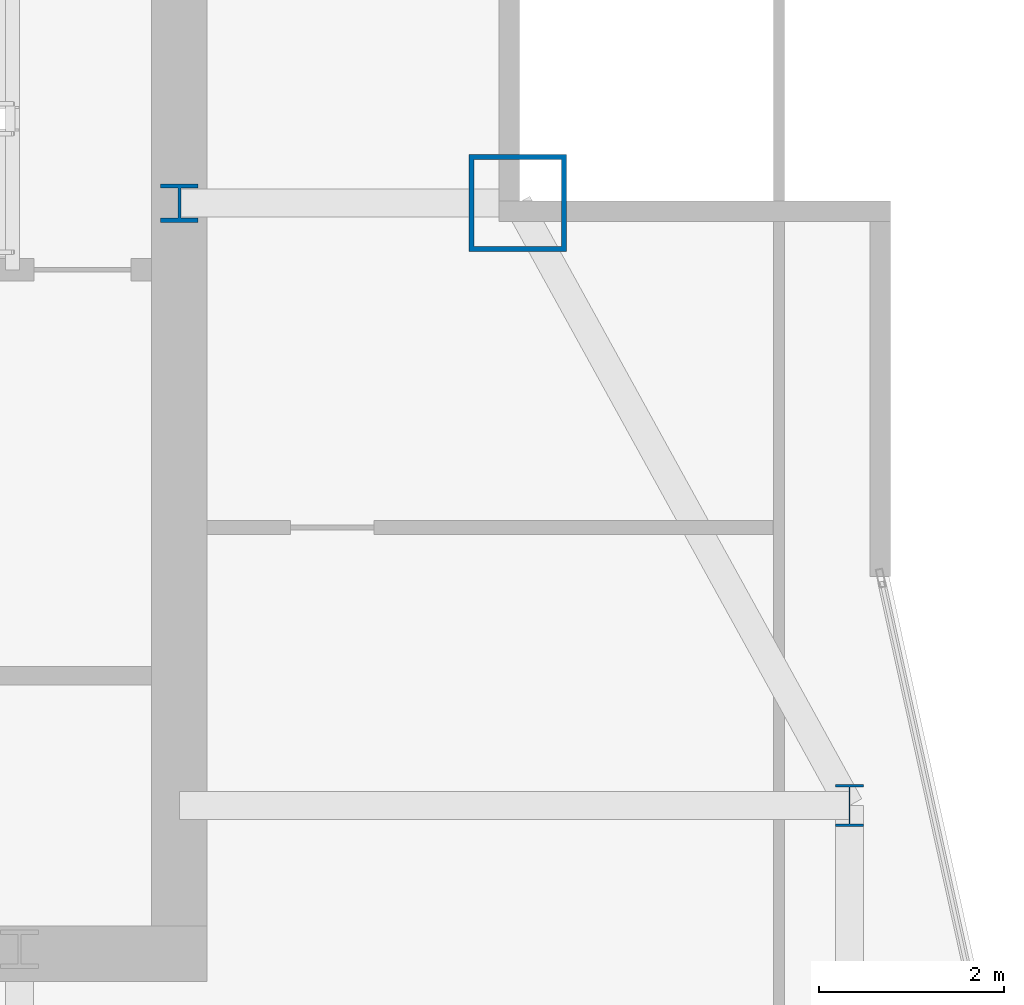
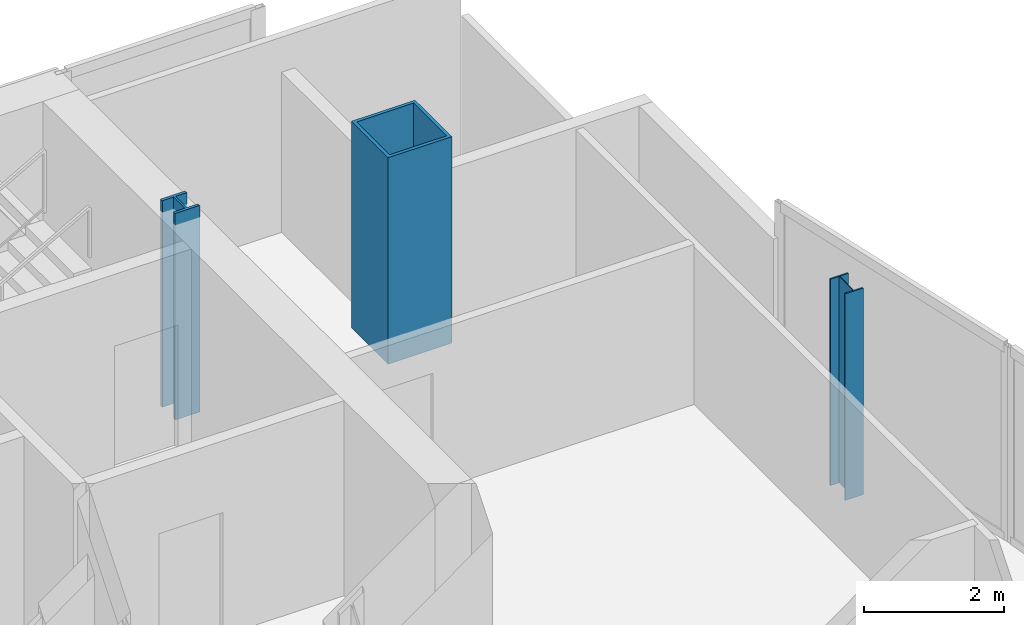
# One storey, part 4 of 31: 3 columns.
"""IFC4 building model written with IfcOpenShell, lengths in metres."""

from ifc_helpers import new_model, si_unit, direction, frame, origin, origin_2d, place, context, subcontext, project, spatial, hollow_rectangle, i_section, extrude, material, material_profile, profile_set, type_object, element, save


model = new_model("IFC4")

# Units and contexts
model_context = context("Model", 3, precision=1e-05, world=origin(), true_north=direction((0.0, 1.0)))
body_context = subcontext(model_context, "Body", "Model", "MODEL_VIEW")
ifc_project = project(units=[si_unit("LENGTHUNIT", "METRE"), si_unit("AREAUNIT", "SQUARE_METRE"), si_unit("VOLUMEUNIT", "CUBIC_METRE"), si_unit("PLANEANGLEUNIT", "RADIAN"), si_unit("MASSUNIT", "GRAM", prefix="KILO")], contexts=[model_context])

# Site, building, storey
site_placement = place(None, origin())
site = spatial("IfcSite", under=ifc_project, at=site_placement, CompositionType="ELEMENT")
building_placement = place(site_placement, origin())
building = spatial("IfcBuilding", under=site, at=building_placement, Name="Khoronbel Lancet Exchange", CompositionType="ELEMENT")
storey_placement = place(building_placement, frame((0.0, 0.0, 261.800048828125)))
storey = spatial("IfcBuildingStorey", under=building, at=storey_placement, Name="L67", CompositionType="ELEMENT", Elevation=261.800048828125)

# Columns
ifc_material_1 = material(Name="Steel S355", Category="steel")
ifc_material_profile_1 = material_profile(ifc_material_1, i_section(OverallWidth=0.406005859375, OverallDepth=0.416015625, WebThickness=0.02978515625, FlangeThickness=0.048095703125, at=origin_2d()), Name="HD 400x382")
ifc_profile_set_1 = profile_set([ifc_material_profile_1], Name="Steel S355")
column_type_1 = type_object("IfcColumnType", Name="COL-IC3", PredefinedType="COLUMN", material=ifc_profile_set_1)
column_1_placement = place(storey_placement, frame((56.39990234375, 49.699951171875, 0.0), z_axis=(0.0, 0.0, 1.0), x_axis=(1.0, 0.0, 0.0)))
element("IfcColumn", 1, at=column_1_placement, inside=storey, type_object=column_type_1, Name="Core-flank plumb transfer column CFE L67", PredefinedType="COLUMN", context=body_context, shape_type="SweptSolid", body=[
    extrude(i_section(OverallWidth=0.406005859375, OverallDepth=0.416015625, WebThickness=0.02978515625, FlangeThickness=0.048095703125, at=origin_2d()), origin(), (0.0, 0.0, 1.0), 3.599853515625),
])
ifc_material_profile_2 = material_profile(ifc_material_1, i_section(OverallWidth=0.300048828125, OverallDepth=0.449951171875, WebThickness=0.013916015625, FlangeThickness=0.02587890625, at=origin_2d()), Name="HEB 450")
ifc_profile_set_2 = profile_set([ifc_material_profile_2], Name="Steel S355")
column_type_2 = type_object("IfcColumnType", Name="COL-LC2", PredefinedType="COLUMN", material=ifc_profile_set_2)
column_2_placement = place(storey_placement, frame((63.6298828125, 43.199951171875, 0.0), z_axis=(0.0, 0.0, 1.0), x_axis=(1.0, 0.0, 0.0)))
element("IfcColumn", 2, at=column_2_placement, inside=storey, type_object=column_type_2, Name="Structural column EC-4 L67", PredefinedType="COLUMN", context=body_context, shape_type="SweptSolid", body=[
    extrude(i_section(OverallWidth=0.300048828125, OverallDepth=0.449951171875, WebThickness=0.013916015625, FlangeThickness=0.02587890625, at=origin_2d()), origin(), (0.0, 0.0, 1.0), 3.599853515625),
])
ifc_material_2 = material(Name="Steel S460", Category="steel")
ifc_material_profile_3 = material_profile(ifc_material_2, hollow_rectangle(XDim=1.050048828125, YDim=1.050048828125, WallThickness=0.054931640625, at=origin_2d()), Name="BOX 1050x1050x55")
ifc_profile_set_3 = profile_set([ifc_material_profile_3], Name="Steel S460")
column_type_3 = type_object("IfcColumnType", Name="COL-MC6", PredefinedType="COLUMN", material=ifc_profile_set_3)
column_3_placement = place(storey_placement, frame((60.050048828125, 49.699951171875, 0.0), z_axis=(0.0, 0.0, 1.0), x_axis=(1.0, 0.0, 0.0)))
element("IfcColumn", 3, at=column_3_placement, inside=storey, type_object=column_type_3, Name="Structural column MC-NE L67", PredefinedType="COLUMN", context=body_context, shape_type="SweptSolid", body=[
    extrude(hollow_rectangle(XDim=1.050048828125, YDim=1.050048828125, WallThickness=0.054931640625, at=origin_2d()), origin(), (0.0, 0.0, 1.0), 3.599853515625),
])

save(model, "model.ifc")
